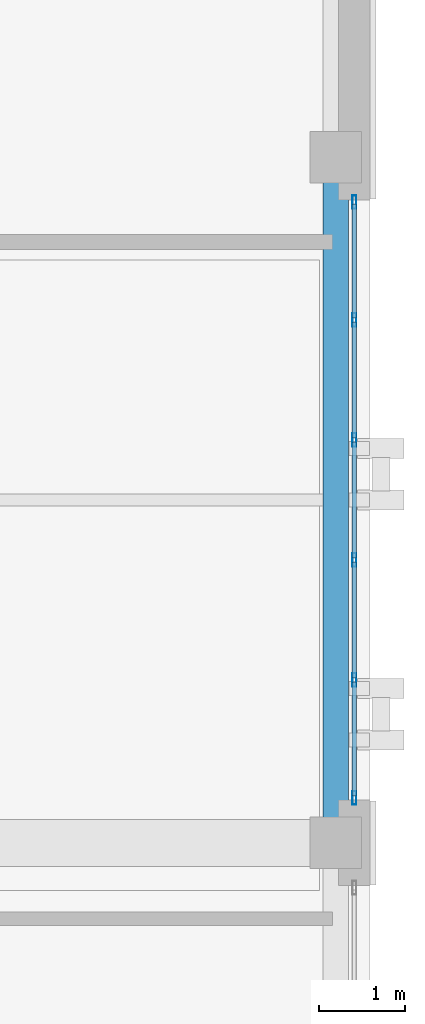
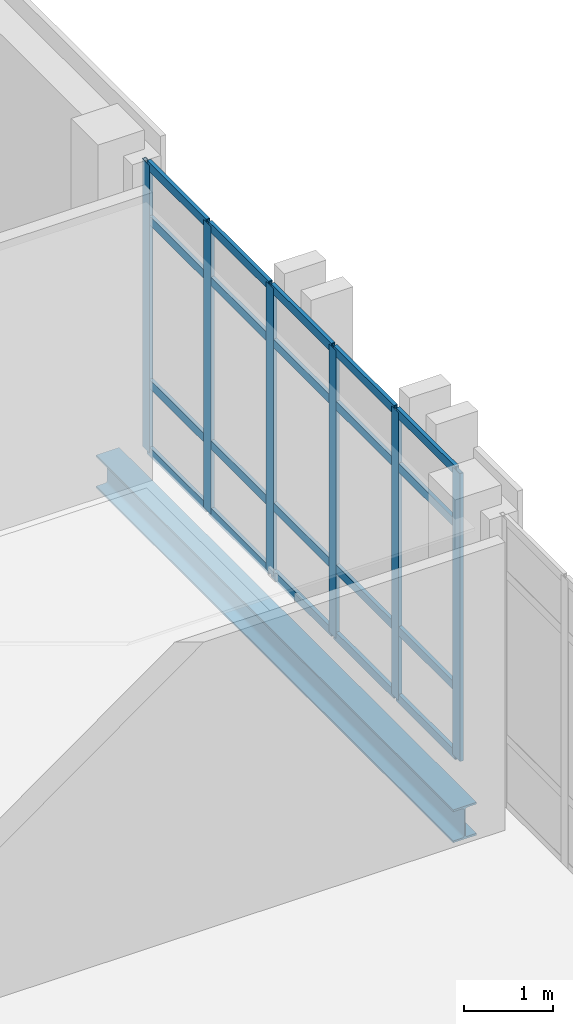
# One storey, part 36 of 77: 26 members, 1 beam, 1 element without a shape of its own.
"""IFC4 building model written with IfcOpenShell, lengths in metres."""

import ifcopenshell
import ifcopenshell.guid

model = None  # the IFC model being written
_history = None  # IfcOwnerHistory: only IFC2X3 demands one
_inside = {}  # id of a spatial element -> (the spatial element, [elements in it])
_under = {}  # id of a project, library or spatial element -> (it, [spatial elements below it])
_declared = {}  # id of a project -> (the project, [libraries it declares])
_typed = {}  # id of a type object -> (the type object, [elements of that type])
_made_of = {}  # id of a material, layer set ... -> (it, [elements and type objects made of it])


def new_model(schema):
    """Start an empty IFC model of exactly this schema.

    Asked for "IFC4X3", IfcOpenShell would pick the latest addendum, in which some entities
    have other attributes; the version numbers below select the first issue.
    IFC2X3 requires an IfcOwnerHistory on every rooted entity: one is made here for all.
    """
    global model, _history
    if schema == "IFC4X3":
        model = ifcopenshell.file(schema_version=(4, 3, 0, 0))
    else:
        model = ifcopenshell.file(schema=schema)
    _inside.clear()
    _under.clear()
    _declared.clear()
    _typed.clear()
    _made_of.clear()
    _history = None
    if model.schema == "IFC2X3":
        org = make("IfcOrganization", Name="unknown")
        user = make(
            "IfcPersonAndOrganization",
            ThePerson=make("IfcPerson", FamilyName="unknown"),
            TheOrganization=org,
        )
        app = make(
            "IfcApplication",
            ApplicationDeveloper=org,
            Version="unknown",
            ApplicationFullName="unknown",
            ApplicationIdentifier="unknown",
        )
        _history = make(
            "IfcOwnerHistory",
            OwningUser=user,
            OwningApplication=app,
            ChangeAction="ADDED",
            CreationDate=0,
        )
    return model


def make(cls, **values):
    """One entity of the class cls with the attributes given. An attribute that is None is left unset."""
    return model.create_entity(
        cls, **{name: value for name, value in values.items() if value is not None}
    )


def rooted(cls, **values):
    """An entity with a GlobalId (a new one), such as an element, a storey or a relation."""
    return make(cls, GlobalId=ifcopenshell.guid.new(), OwnerHistory=_history, **values)


def si_unit(unit_type, name, prefix=None):
    """IfcSIUnit, for example si_unit("LENGTHUNIT", "METRE", prefix="MILLI")."""
    return make("IfcSIUnit", UnitType=unit_type, Prefix=prefix, Name=name)


def assignment(units):
    """IfcUnitAssignment: the units of a project."""
    return None if units is None else make("IfcUnitAssignment", Units=units)


def point(xyz):
    """IfcCartesianPoint."""
    return None if xyz is None else make("IfcCartesianPoint", Coordinates=xyz)


def direction(xyz):
    """IfcDirection."""
    return None if xyz is None else make("IfcDirection", DirectionRatios=xyz)


def frame(location, z_axis=None, x_axis=None):
    """IfcAxis2Placement3D, a coordinate frame: its origin and axes. An axis left out is left unset."""
    return make(
        "IfcAxis2Placement3D",
        Location=point(location),
        Axis=direction(z_axis),
        RefDirection=direction(x_axis),
    )


def frame_2d(location, x_axis=None):
    """IfcAxis2Placement2D, a coordinate frame in the plane: its origin and x axis."""
    return make(
        "IfcAxis2Placement2D", Location=point(location), RefDirection=direction(x_axis)
    )


def origin():
    """The frame at (0, 0, 0) with its axes left unset."""
    return frame((0.0, 0.0, 0.0))


def origin_2d():
    """The frame at (0, 0) in the plane with its x axis left unset."""
    return frame_2d((0.0, 0.0))


def place(relative_to, where):
    """IfcLocalPlacement: puts the frame where relative to a parent placement (None: the world)."""
    return make(
        "IfcLocalPlacement", PlacementRelTo=relative_to, RelativePlacement=where
    )


def context(
    kind, dimensions, precision=None, world=None, true_north=None, identifier=None
):
    """IfcGeometricRepresentationContext, for example the 3D "Model" context."""
    return make(
        "IfcGeometricRepresentationContext",
        ContextIdentifier=identifier,
        ContextType=kind,
        CoordinateSpaceDimension=dimensions,
        Precision=precision,
        WorldCoordinateSystem=world,
        TrueNorth=true_north,
    )


def subcontext(parent, identifier, kind, view, scale=None):
    """IfcGeometricRepresentationSubContext, for example "Body" below "Model"."""
    return make(
        "IfcGeometricRepresentationSubContext",
        ContextIdentifier=identifier,
        ContextType=kind,
        ParentContext=parent,
        TargetScale=scale,
        TargetView=view,
    )


def project(units=None, contexts=None):
    """IfcProject with its units and contexts."""
    return rooted(
        "IfcProject",
        Name="project",
        RepresentationContexts=contexts,
        UnitsInContext=assignment(units),
    )


def spatial(cls, under=None, at=None, **own):
    """A site, building, storey or space (cls), placed at a placement, below another one or the project."""
    s = rooted(cls, ObjectPlacement=at, **own)
    if under is not None:
        _under.setdefault(under.id(), (under, []))[1].append(s)
    return s


def profile(cls, at=None, kind="AREA", **sizes):
    """A parametric profile (cls). Its sizes go by their IFC names, for example OverallWidth=200.0."""
    return make(cls, ProfileType=kind, Position=at, **sizes)


def hollow_rectangle(**sizes):
    """IfcRectangleHollowProfileDef."""
    return profile("IfcRectangleHollowProfileDef", **sizes)


def i_section(**sizes):
    """IfcIShapeProfileDef."""
    return profile("IfcIShapeProfileDef", **sizes)


def extrude(swept, where, along, depth):
    """IfcExtrudedAreaSolid: the profile swept, set in the frame where, extruded along a direction by depth."""
    return make(
        "IfcExtrudedAreaSolid",
        SweptArea=swept,
        Position=where,
        ExtrudedDirection=direction(along),
        Depth=depth,
    )


def shape(context_of_items, identifier, shape_type, items):
    """IfcShapeRepresentation: the items that make up one representation, for example the "Body"."""
    return make(
        "IfcShapeRepresentation",
        ContextOfItems=context_of_items,
        RepresentationIdentifier=identifier,
        RepresentationType=shape_type,
        Items=items,
    )


def material(Name=None, Category=None):
    """IfcMaterial."""
    return make("IfcMaterial", Name=Name, Category=Category)


def layer(
    of_material, thickness, ventilated=None, Name=None, Category=None, Priority=None
):
    """IfcMaterialLayer: one layer of a wall or slab, of a material (None: an air gap)."""
    return make(
        "IfcMaterialLayer",
        Material=of_material,
        LayerThickness=thickness,
        IsVentilated=ventilated,
        Name=Name,
        Category=Category,
        Priority=Priority,
    )


def layer_set(layers, Name=None):
    """IfcMaterialLayerSet."""
    return make("IfcMaterialLayerSet", MaterialLayers=layers, LayerSetName=Name)


def material_profile(
    of_material, cross_section, Name=None, Category=None, Priority=None
):
    """IfcMaterialProfile: a cross section and its material."""
    return make(
        "IfcMaterialProfile",
        Name=Name,
        Material=of_material,
        Profile=cross_section,
        Priority=Priority,
        Category=Category,
    )


def profile_set(profiles, Name=None, composite=None):
    """IfcMaterialProfileSet."""
    return make(
        "IfcMaterialProfileSet",
        Name=Name,
        MaterialProfiles=profiles,
        CompositeProfile=composite,
    )


def made_of(thing, what):
    """Note that an element or type object is made of a material, layer set ...; save() writes the relation."""
    if what is not None:
        _made_of.setdefault(what.id(), (what, []))[1].append(thing)
    return thing


def type_object(cls, material=None, **own):
    """A type object (cls), such as IfcWallType, which elements share."""
    return made_of(rooted(cls, **own), material)


def element(
    cls,
    number,
    at=None,
    inside=None,
    cuts=None,
    type_object=None,
    material=None,
    context=None,
    identifier="Body",
    shape_type=None,
    held_by="IfcProductDefinitionShape",
    body=None,
    shapes=None,
    **own,
):
    """One element of the class cls, such as IfcWall. Its Tag is "e" and its number.

    at: its placement. inside: the storey or other place that contains it. cuts: it is an
    opening in that element (IfcRelVoidsElement). A single representation is given by context,
    identifier, shape_type and body (its items); several are given by shapes. held_by: the class
    of the entity that holds the representations. save() writes the other relations.
    """
    e = rooted(cls, Tag="e%d" % number, ObjectPlacement=at, **own)
    if body is not None:
        shapes = [shape(context, identifier, shape_type, body)]
    if shapes is not None:
        e.Representation = make(held_by, Representations=shapes)
    if inside is not None:
        _inside.setdefault(inside.id(), (inside, []))[1].append(e)
    if cuts is not None:
        rooted(
            "IfcRelVoidsElement", RelatingBuildingElement=cuts, RelatedOpeningElement=e
        )
    if type_object is not None:
        _typed.setdefault(type_object.id(), (type_object, []))[1].append(e)
    return made_of(e, material)


def aggregate(whole, parts):
    """IfcRelAggregates: a whole, such as a stair, and the parts it consists of."""
    return rooted("IfcRelAggregates", RelatingObject=whole, RelatedObjects=parts)


def save(model, path):
    """Write the relations noted so far, then the file.

    IfcRelAggregates (storeys below a building ...), IfcRelContainedInSpatialStructure (elements
    in a storey), IfcRelDefinesByType, IfcRelAssociatesMaterial and IfcRelDeclares: one each for
    every whole, place, type object, material and project.
    """
    for whole, parts in _under.values():
        aggregate(whole, parts)
    for where, things in _inside.values():
        rooted(
            "IfcRelContainedInSpatialStructure",
            RelatedElements=things,
            RelatingStructure=where,
        )
    for kind, things in _typed.values():
        rooted("IfcRelDefinesByType", RelatedObjects=things, RelatingType=kind)
    for what, things in _made_of.values():
        rooted("IfcRelAssociatesMaterial", RelatedObjects=things, RelatingMaterial=what)
    for by, libraries in _declared.values():
        rooted("IfcRelDeclares", RelatingContext=by, RelatedDefinitions=libraries)
    model.write(path)


model = new_model("IFC4")

# Units and contexts
model_context = context("Model", 3, precision=1e-05, world=origin(), true_north=direction((0.0, 1.0)))
body_context = subcontext(model_context, "Body", "Model", "MODEL_VIEW")
ifc_project = project(units=[si_unit("LENGTHUNIT", "METRE"), si_unit("AREAUNIT", "SQUARE_METRE"), si_unit("VOLUMEUNIT", "CUBIC_METRE"), si_unit("PLANEANGLEUNIT", "RADIAN"), si_unit("MASSUNIT", "GRAM", prefix="KILO")], contexts=[model_context])

# Site, building, storey
site_placement = place(None, origin())
site = spatial("IfcSite", under=ifc_project, at=site_placement, CompositionType="ELEMENT")
building_placement = place(site_placement, origin())
building = spatial("IfcBuilding", under=site, at=building_placement, Name="Qalavern Law Courts", CompositionType="ELEMENT")
storey_placement = place(building_placement, frame((0.0, 0.0, 27.0)))
storey = spatial("IfcBuildingStorey", under=building, at=storey_placement, Name="L06", CompositionType="ELEMENT", Elevation=27.0)

# Curtain wall, members
ifc_material_1 = material(Name="Anodised aluminium and insulated glazing", Category="aluminium")
ifc_layer = layer(ifc_material_1, 0.159912109375)
ifc_layer_set = layer_set([ifc_layer], Name="Anodised aluminium and insulated glazing")
curtain_wall_type = type_object("IfcCurtainWallType", Name="ENV-CW-CHAMB", PredefinedType="USERDEFINED", material=ifc_layer_set)
curtain_wall_placement = place(storey_placement, origin())
curtain_wall = element("IfcCurtainWall", 1, at=curtain_wall_placement, inside=storey, type_object=curtain_wall_type, Name="V4 unitised curtain wall L06 east 3", ObjectType="UNITISED CURTAIN WALL", PredefinedType="USERDEFINED")
ifc_material_2 = material(Name="Anodised aluminium", Category="aluminium")
ifc_material_profile_1 = material_profile(ifc_material_2, hollow_rectangle(XDim=0.048095703125, YDim=0.159912109375, WallThickness=0.00390625, at=origin_2d()), Name="ALU MULLION 48x160")
ifc_profile_set_1 = profile_set([ifc_material_profile_1], Name="Anodised aluminium")
member_type_1 = type_object("IfcMemberType", Name="ENV-CWM-48x160", PredefinedType="MULLION", material=ifc_profile_set_1)
member_1_placement = place(storey_placement, frame((106.614990234375, 57.924072265625, 0.0), z_axis=(0.0, 0.0, 1.0), x_axis=(-1.0, 0.0, 0.0)))
member_1 = element("IfcMember", 2, at=member_1_placement, type_object=member_type_1, Name="CW-04 mullion 1", PredefinedType="MULLION", context=body_context, shape_type="SweptSolid", body=[
    extrude(hollow_rectangle(XDim=0.048095703125, YDim=0.159912109375, WallThickness=0.00390625, at=origin_2d()), origin(), (0.0, 0.0, 1.0), 3.93505859375),
])
member_2_placement = place(storey_placement, frame((106.614990234375, 59.300048828125, 0.0), z_axis=(0.0, 0.0, 1.0), x_axis=(-1.0, 0.0, 0.0)))
member_2 = element("IfcMember", 3, at=member_2_placement, type_object=member_type_1, Name="CW-04 mullion 2", PredefinedType="MULLION", context=body_context, shape_type="SweptSolid", body=[
    extrude(hollow_rectangle(XDim=0.048095703125, YDim=0.159912109375, WallThickness=0.00390625, at=origin_2d()), origin(), (0.0, 0.0, 1.0), 3.93505859375),
])
member_3_placement = place(storey_placement, frame((106.614990234375, 60.699951171875, 0.0), z_axis=(0.0, 0.0, 1.0), x_axis=(-1.0, 0.0, 0.0)))
member_3 = element("IfcMember", 4, at=member_3_placement, type_object=member_type_1, Name="CW-04 mullion 3", PredefinedType="MULLION", context=body_context, shape_type="SweptSolid", body=[
    extrude(hollow_rectangle(XDim=0.048095703125, YDim=0.159912109375, WallThickness=0.00390625, at=origin_2d()), origin(), (0.0, 0.0, 1.0), 3.93505859375),
])
member_4_placement = place(storey_placement, frame((106.614990234375, 62.10009765625, 0.0), z_axis=(0.0, 0.0, 1.0), x_axis=(-1.0, 0.0, 0.0)))
member_4 = element("IfcMember", 5, at=member_4_placement, type_object=member_type_1, Name="CW-04 mullion 4", PredefinedType="MULLION", context=body_context, shape_type="SweptSolid", body=[
    extrude(hollow_rectangle(XDim=0.048095703125, YDim=0.159912109375, WallThickness=0.00390625, at=origin_2d()), origin(), (0.0, 0.0, 1.0), 3.93505859375),
])
member_5_placement = place(storey_placement, frame((106.614990234375, 63.5, 0.0), z_axis=(0.0, 0.0, 1.0), x_axis=(-1.0, 0.0, 0.0)))
member_5 = element("IfcMember", 6, at=member_5_placement, type_object=member_type_1, Name="CW-04 mullion 5", PredefinedType="MULLION", context=body_context, shape_type="SweptSolid", body=[
    extrude(hollow_rectangle(XDim=0.048095703125, YDim=0.159912109375, WallThickness=0.00390625, at=origin_2d()), origin(), (0.0, 0.0, 1.0), 3.93505859375),
])
member_6_placement = place(storey_placement, frame((106.614990234375, 64.8759765625, 0.0), z_axis=(0.0, 0.0, 1.0), x_axis=(-1.0, 0.0, 0.0)))
member_6 = element("IfcMember", 7, at=member_6_placement, type_object=member_type_1, Name="CW-04 mullion 6", PredefinedType="MULLION", context=body_context, shape_type="SweptSolid", body=[
    extrude(hollow_rectangle(XDim=0.048095703125, YDim=0.159912109375, WallThickness=0.00390625, at=origin_2d()), origin(), (0.0, 0.0, 1.0), 3.93505859375),
])
ifc_material_profile_2 = material_profile(ifc_material_2, hollow_rectangle(XDim=0.048095703125, YDim=0.1201171875, WallThickness=0.00390625, at=origin_2d()), Name="ALU TRANSOM 48x120")
ifc_profile_set_2 = profile_set([ifc_material_profile_2], Name="Anodised aluminium")
member_type_2 = type_object("IfcMemberType", Name="ENV-CWT-48x120", PredefinedType="USERDEFINED", material=ifc_profile_set_2)
member_7_placement = place(storey_placement, frame((106.614990234375, 57.947998046875, 0.02392578125), z_axis=(0.0, 1.0, 0.0), x_axis=(-1.0, 0.0, 0.0)))
member_7 = element("IfcMember", 8, at=member_7_placement, type_object=member_type_2, Name="CW-04 transom 1.1", ObjectType="TRANSOM", PredefinedType="USERDEFINED", context=body_context, shape_type="SweptSolid", body=[
    extrude(hollow_rectangle(XDim=0.048095703125, YDim=0.1201171875, WallThickness=0.00390625, at=origin_2d()), origin(), (0.0, 0.0, 1.0), 1.327880859375),
])
member_8_placement = place(storey_placement, frame((106.614990234375, 57.947998046875, 0.949951171875), z_axis=(0.0, 1.0, 0.0), x_axis=(-1.0, 0.0, 0.0)))
member_8 = element("IfcMember", 9, at=member_8_placement, type_object=member_type_2, Name="CW-04 transom 1.2", ObjectType="TRANSOM", PredefinedType="USERDEFINED", context=body_context, shape_type="SweptSolid", body=[
    extrude(hollow_rectangle(XDim=0.048095703125, YDim=0.1201171875, WallThickness=0.00390625, at=origin_2d()), origin(), (0.0, 0.0, 1.0), 1.327880859375),
])
member_9_placement = place(storey_placement, frame((106.614990234375, 57.947998046875, 3.18505859375), z_axis=(0.0, 1.0, 0.0), x_axis=(-1.0, 0.0, 0.0)))
member_9 = element("IfcMember", 10, at=member_9_placement, type_object=member_type_2, Name="CW-04 transom 1.3", ObjectType="TRANSOM", PredefinedType="USERDEFINED", context=body_context, shape_type="SweptSolid", body=[
    extrude(hollow_rectangle(XDim=0.048095703125, YDim=0.1201171875, WallThickness=0.00390625, at=origin_2d()), origin(), (0.0, 0.0, 1.0), 1.327880859375),
])
member_10_placement = place(storey_placement, frame((106.614990234375, 57.947998046875, 3.910888671875), z_axis=(0.0, 1.0, 0.0), x_axis=(-1.0, 0.0, 0.0)))
member_10 = element("IfcMember", 11, at=member_10_placement, type_object=member_type_2, Name="CW-04 transom 1.4", ObjectType="TRANSOM", PredefinedType="USERDEFINED", context=body_context, shape_type="SweptSolid", body=[
    extrude(hollow_rectangle(XDim=0.048095703125, YDim=0.1201171875, WallThickness=0.00390625, at=origin_2d()), origin(), (0.0, 0.0, 1.0), 1.327880859375),
])
member_11_placement = place(storey_placement, frame((106.614990234375, 59.323974609375, 0.02392578125), z_axis=(0.0, 1.0, 0.0), x_axis=(-1.0, 0.0, 0.0)))
member_11 = element("IfcMember", 12, at=member_11_placement, type_object=member_type_2, Name="CW-04 transom 2.1", ObjectType="TRANSOM", PredefinedType="USERDEFINED", context=body_context, shape_type="SweptSolid", body=[
    extrude(hollow_rectangle(XDim=0.048095703125, YDim=0.1201171875, WallThickness=0.00390625, at=origin_2d()), origin(), (0.0, 0.0, 1.0), 1.35205078125),
])
member_12_placement = place(storey_placement, frame((106.614990234375, 59.323974609375, 0.949951171875), z_axis=(0.0, 1.0, 0.0), x_axis=(-1.0, 0.0, 0.0)))
member_12 = element("IfcMember", 13, at=member_12_placement, type_object=member_type_2, Name="CW-04 transom 2.2", ObjectType="TRANSOM", PredefinedType="USERDEFINED", context=body_context, shape_type="SweptSolid", body=[
    extrude(hollow_rectangle(XDim=0.048095703125, YDim=0.1201171875, WallThickness=0.00390625, at=origin_2d()), origin(), (0.0, 0.0, 1.0), 1.35205078125),
])
member_13_placement = place(storey_placement, frame((106.614990234375, 59.323974609375, 3.18505859375), z_axis=(0.0, 1.0, 0.0), x_axis=(-1.0, 0.0, 0.0)))
member_13 = element("IfcMember", 14, at=member_13_placement, type_object=member_type_2, Name="CW-04 transom 2.3", ObjectType="TRANSOM", PredefinedType="USERDEFINED", context=body_context, shape_type="SweptSolid", body=[
    extrude(hollow_rectangle(XDim=0.048095703125, YDim=0.1201171875, WallThickness=0.00390625, at=origin_2d()), origin(), (0.0, 0.0, 1.0), 1.35205078125),
])
member_14_placement = place(storey_placement, frame((106.614990234375, 59.323974609375, 3.910888671875), z_axis=(0.0, 1.0, 0.0), x_axis=(-1.0, 0.0, 0.0)))
member_14 = element("IfcMember", 15, at=member_14_placement, type_object=member_type_2, Name="CW-04 transom 2.4", ObjectType="TRANSOM", PredefinedType="USERDEFINED", context=body_context, shape_type="SweptSolid", body=[
    extrude(hollow_rectangle(XDim=0.048095703125, YDim=0.1201171875, WallThickness=0.00390625, at=origin_2d()), origin(), (0.0, 0.0, 1.0), 1.35205078125),
])
member_15_placement = place(storey_placement, frame((106.614990234375, 60.72412109375, 0.02392578125), z_axis=(0.0, 1.0, 0.0), x_axis=(-1.0, 0.0, 0.0)))
member_15 = element("IfcMember", 16, at=member_15_placement, type_object=member_type_2, Name="CW-04 transom 3.1", ObjectType="TRANSOM", PredefinedType="USERDEFINED", context=body_context, shape_type="SweptSolid", body=[
    extrude(hollow_rectangle(XDim=0.048095703125, YDim=0.1201171875, WallThickness=0.00390625, at=origin_2d()), origin(), (0.0, 0.0, 1.0), 1.351806640625),
])
member_16_placement = place(storey_placement, frame((106.614990234375, 60.72412109375, 0.949951171875), z_axis=(0.0, 1.0, 0.0), x_axis=(-1.0, 0.0, 0.0)))
member_16 = element("IfcMember", 17, at=member_16_placement, type_object=member_type_2, Name="CW-04 transom 3.2", ObjectType="TRANSOM", PredefinedType="USERDEFINED", context=body_context, shape_type="SweptSolid", body=[
    extrude(hollow_rectangle(XDim=0.048095703125, YDim=0.1201171875, WallThickness=0.00390625, at=origin_2d()), origin(), (0.0, 0.0, 1.0), 1.351806640625),
])
member_17_placement = place(storey_placement, frame((106.614990234375, 60.72412109375, 3.18505859375), z_axis=(0.0, 1.0, 0.0), x_axis=(-1.0, 0.0, 0.0)))
member_17 = element("IfcMember", 18, at=member_17_placement, type_object=member_type_2, Name="CW-04 transom 3.3", ObjectType="TRANSOM", PredefinedType="USERDEFINED", context=body_context, shape_type="SweptSolid", body=[
    extrude(hollow_rectangle(XDim=0.048095703125, YDim=0.1201171875, WallThickness=0.00390625, at=origin_2d()), origin(), (0.0, 0.0, 1.0), 1.351806640625),
])
member_18_placement = place(storey_placement, frame((106.614990234375, 60.72412109375, 3.910888671875), z_axis=(0.0, 1.0, 0.0), x_axis=(-1.0, 0.0, 0.0)))
member_18 = element("IfcMember", 19, at=member_18_placement, type_object=member_type_2, Name="CW-04 transom 3.4", ObjectType="TRANSOM", PredefinedType="USERDEFINED", context=body_context, shape_type="SweptSolid", body=[
    extrude(hollow_rectangle(XDim=0.048095703125, YDim=0.1201171875, WallThickness=0.00390625, at=origin_2d()), origin(), (0.0, 0.0, 1.0), 1.351806640625),
])
member_19_placement = place(storey_placement, frame((106.614990234375, 62.1240234375, 0.02392578125), z_axis=(0.0, 1.0, 0.0), x_axis=(-1.0, 0.0, 0.0)))
member_19 = element("IfcMember", 20, at=member_19_placement, type_object=member_type_2, Name="CW-04 transom 4.1", ObjectType="TRANSOM", PredefinedType="USERDEFINED", context=body_context, shape_type="SweptSolid", body=[
    extrude(hollow_rectangle(XDim=0.048095703125, YDim=0.1201171875, WallThickness=0.00390625, at=origin_2d()), origin(), (0.0, 0.0, 1.0), 1.35205078125),
])
member_20_placement = place(storey_placement, frame((106.614990234375, 62.1240234375, 0.949951171875), z_axis=(0.0, 1.0, 0.0), x_axis=(-1.0, 0.0, 0.0)))
member_20 = element("IfcMember", 21, at=member_20_placement, type_object=member_type_2, Name="CW-04 transom 4.2", ObjectType="TRANSOM", PredefinedType="USERDEFINED", context=body_context, shape_type="SweptSolid", body=[
    extrude(hollow_rectangle(XDim=0.048095703125, YDim=0.1201171875, WallThickness=0.00390625, at=origin_2d()), origin(), (0.0, 0.0, 1.0), 1.35205078125),
])
member_21_placement = place(storey_placement, frame((106.614990234375, 62.1240234375, 3.18505859375), z_axis=(0.0, 1.0, 0.0), x_axis=(-1.0, 0.0, 0.0)))
member_21 = element("IfcMember", 22, at=member_21_placement, type_object=member_type_2, Name="CW-04 transom 4.3", ObjectType="TRANSOM", PredefinedType="USERDEFINED", context=body_context, shape_type="SweptSolid", body=[
    extrude(hollow_rectangle(XDim=0.048095703125, YDim=0.1201171875, WallThickness=0.00390625, at=origin_2d()), origin(), (0.0, 0.0, 1.0), 1.35205078125),
])
member_22_placement = place(storey_placement, frame((106.614990234375, 62.1240234375, 3.910888671875), z_axis=(0.0, 1.0, 0.0), x_axis=(-1.0, 0.0, 0.0)))
member_22 = element("IfcMember", 23, at=member_22_placement, type_object=member_type_2, Name="CW-04 transom 4.4", ObjectType="TRANSOM", PredefinedType="USERDEFINED", context=body_context, shape_type="SweptSolid", body=[
    extrude(hollow_rectangle(XDim=0.048095703125, YDim=0.1201171875, WallThickness=0.00390625, at=origin_2d()), origin(), (0.0, 0.0, 1.0), 1.35205078125),
])
member_23_placement = place(storey_placement, frame((106.614990234375, 63.52392578125, 0.02392578125), z_axis=(0.0, 1.0, 0.0), x_axis=(-1.0, 0.0, 0.0)))
member_23 = element("IfcMember", 24, at=member_23_placement, type_object=member_type_2, Name="CW-04 transom 5.1", ObjectType="TRANSOM", PredefinedType="USERDEFINED", context=body_context, shape_type="SweptSolid", body=[
    extrude(hollow_rectangle(XDim=0.048095703125, YDim=0.1201171875, WallThickness=0.00390625, at=origin_2d()), origin(), (0.0, 0.0, 1.0), 1.328125),
])
member_24_placement = place(storey_placement, frame((106.614990234375, 63.52392578125, 0.949951171875), z_axis=(0.0, 1.0, 0.0), x_axis=(-1.0, 0.0, 0.0)))
member_24 = element("IfcMember", 25, at=member_24_placement, type_object=member_type_2, Name="CW-04 transom 5.2", ObjectType="TRANSOM", PredefinedType="USERDEFINED", context=body_context, shape_type="SweptSolid", body=[
    extrude(hollow_rectangle(XDim=0.048095703125, YDim=0.1201171875, WallThickness=0.00390625, at=origin_2d()), origin(), (0.0, 0.0, 1.0), 1.328125),
])
member_25_placement = place(storey_placement, frame((106.614990234375, 63.52392578125, 3.18505859375), z_axis=(0.0, 1.0, 0.0), x_axis=(-1.0, 0.0, 0.0)))
member_25 = element("IfcMember", 26, at=member_25_placement, type_object=member_type_2, Name="CW-04 transom 5.3", ObjectType="TRANSOM", PredefinedType="USERDEFINED", context=body_context, shape_type="SweptSolid", body=[
    extrude(hollow_rectangle(XDim=0.048095703125, YDim=0.1201171875, WallThickness=0.00390625, at=origin_2d()), origin(), (0.0, 0.0, 1.0), 1.328125),
])
member_26_placement = place(storey_placement, frame((106.614990234375, 63.52392578125, 3.910888671875), z_axis=(0.0, 1.0, 0.0), x_axis=(-1.0, 0.0, 0.0)))
member_26 = element("IfcMember", 27, at=member_26_placement, type_object=member_type_2, Name="CW-04 transom 5.4", ObjectType="TRANSOM", PredefinedType="USERDEFINED", context=body_context, shape_type="SweptSolid", body=[
    extrude(hollow_rectangle(XDim=0.048095703125, YDim=0.1201171875, WallThickness=0.00390625, at=origin_2d()), origin(), (0.0, 0.0, 1.0), 1.328125),
])
aggregate(curtain_wall, [member_1, member_2, member_3, member_4, member_5, member_6, member_7, member_8, member_9, member_10, member_11, member_12, member_13, member_14, member_15, member_16, member_17, member_18, member_19, member_20, member_21, member_22, member_23, member_24, member_25, member_26])

# Beam
ifc_material_3 = material(Name="Steel S355", Category="steel")
ifc_material_profile_3 = material_profile(ifc_material_3, i_section(OverallWidth=0.300048828125, OverallDepth=0.449951171875, WebThickness=0.013916015625, FlangeThickness=0.02587890625, FilletRadius=0.027099609375, at=origin_2d()), Name="HEB 450")
ifc_profile_set_3 = profile_set([ifc_material_profile_3], Name="Steel S355")
beam_type = type_object("IfcBeamType", Name="STR-SP-HEB450", PredefinedType="SPANDREL", material=ifc_profile_set_3)
beam_placement = place(storey_placement, frame((106.39990234375, 57.39990234375, -0.4951171875), z_axis=(0.0, 1.0, 0.0), x_axis=(-1.0, 0.0, 0.0)))
element("IfcBeam", 28, at=beam_placement, inside=storey, type_object=beam_type, Name="V4 Y-beam 3-3 L06", PredefinedType="SPANDREL", context=body_context, shape_type="SweptSolid", body=[
    extrude(i_section(OverallWidth=0.300048828125, OverallDepth=0.449951171875, WebThickness=0.013916015625, FlangeThickness=0.02587890625, FilletRadius=0.027099609375, at=origin_2d()), origin(), (0.0, 0.0, 1.0), 8.0),
])

save(model, "model.ifc")
